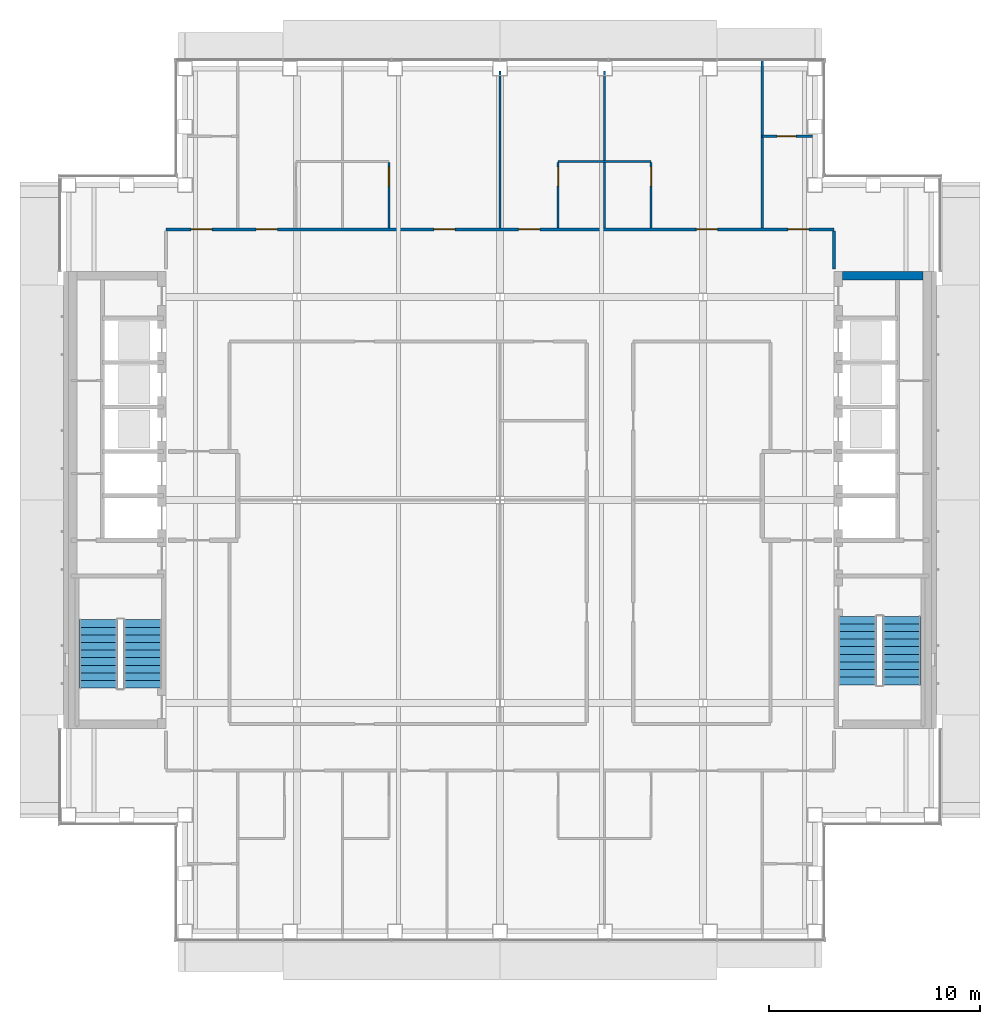
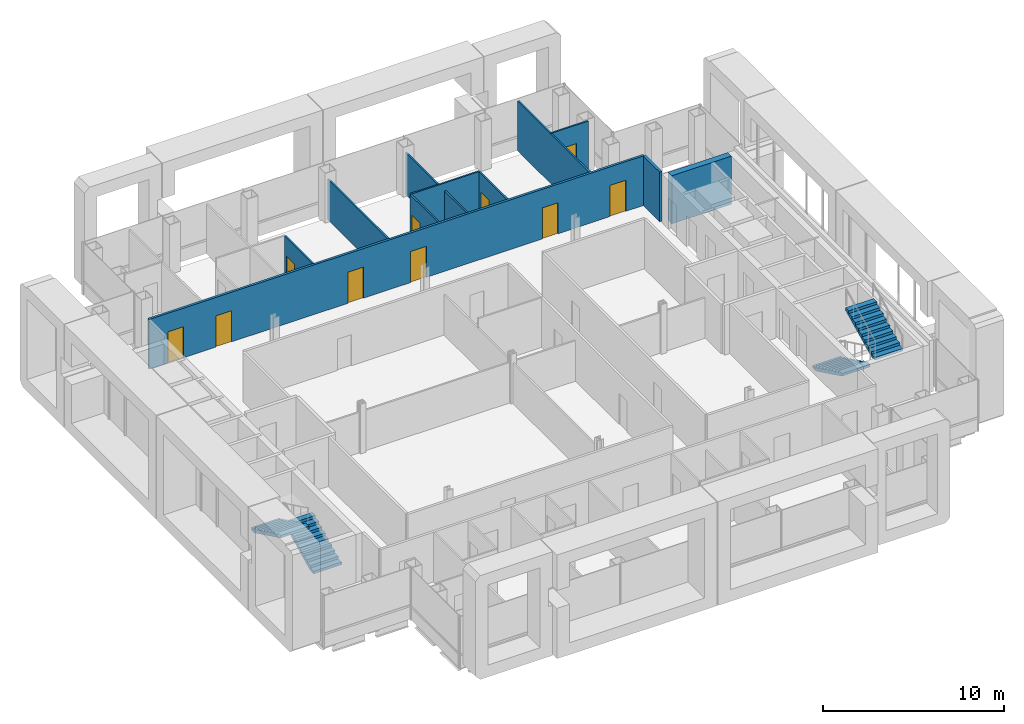
# One storey, part 12 of 19: 12 walls, 10 doors, 4 stair flights, 10 openings, 2 elements without a shape of their own.
"""IFC4 building model written with IfcOpenShell, lengths in metres."""

import ifcopenshell
import ifcopenshell.guid

model = None  # the IFC model being written
_history = None  # IfcOwnerHistory: only IFC2X3 demands one
_inside = {}  # id of a spatial element -> (the spatial element, [elements in it])
_under = {}  # id of a project, library or spatial element -> (it, [spatial elements below it])
_declared = {}  # id of a project -> (the project, [libraries it declares])
_typed = {}  # id of a type object -> (the type object, [elements of that type])
_made_of = {}  # id of a material, layer set ... -> (it, [elements and type objects made of it])


def new_model(schema):
    """Start an empty IFC model of exactly this schema.

    Asked for "IFC4X3", IfcOpenShell would pick the latest addendum, in which some entities
    have other attributes; the version numbers below select the first issue.
    IFC2X3 requires an IfcOwnerHistory on every rooted entity: one is made here for all.
    """
    global model, _history
    if schema == "IFC4X3":
        model = ifcopenshell.file(schema_version=(4, 3, 0, 0))
    else:
        model = ifcopenshell.file(schema=schema)
    _inside.clear()
    _under.clear()
    _declared.clear()
    _typed.clear()
    _made_of.clear()
    _history = None
    if model.schema == "IFC2X3":
        org = make("IfcOrganization", Name="unknown")
        user = make(
            "IfcPersonAndOrganization",
            ThePerson=make("IfcPerson", FamilyName="unknown"),
            TheOrganization=org,
        )
        app = make(
            "IfcApplication",
            ApplicationDeveloper=org,
            Version="unknown",
            ApplicationFullName="unknown",
            ApplicationIdentifier="unknown",
        )
        _history = make(
            "IfcOwnerHistory",
            OwningUser=user,
            OwningApplication=app,
            ChangeAction="ADDED",
            CreationDate=0,
        )
    return model


def make(cls, **values):
    """One entity of the class cls with the attributes given. An attribute that is None is left unset."""
    return model.create_entity(
        cls, **{name: value for name, value in values.items() if value is not None}
    )


def rooted(cls, **values):
    """An entity with a GlobalId (a new one), such as an element, a storey or a relation."""
    return make(cls, GlobalId=ifcopenshell.guid.new(), OwnerHistory=_history, **values)


def si_unit(unit_type, name, prefix=None):
    """IfcSIUnit, for example si_unit("LENGTHUNIT", "METRE", prefix="MILLI")."""
    return make("IfcSIUnit", UnitType=unit_type, Prefix=prefix, Name=name)


def assignment(units):
    """IfcUnitAssignment: the units of a project."""
    return None if units is None else make("IfcUnitAssignment", Units=units)


def point(xyz):
    """IfcCartesianPoint."""
    return None if xyz is None else make("IfcCartesianPoint", Coordinates=xyz)


def direction(xyz):
    """IfcDirection."""
    return None if xyz is None else make("IfcDirection", DirectionRatios=xyz)


def frame(location, z_axis=None, x_axis=None):
    """IfcAxis2Placement3D, a coordinate frame: its origin and axes. An axis left out is left unset."""
    return make(
        "IfcAxis2Placement3D",
        Location=point(location),
        Axis=direction(z_axis),
        RefDirection=direction(x_axis),
    )


def frame_2d(location, x_axis=None):
    """IfcAxis2Placement2D, a coordinate frame in the plane: its origin and x axis."""
    return make(
        "IfcAxis2Placement2D", Location=point(location), RefDirection=direction(x_axis)
    )


def origin():
    """The frame at (0, 0, 0) with its axes left unset."""
    return frame((0.0, 0.0, 0.0))


def place(relative_to, where):
    """IfcLocalPlacement: puts the frame where relative to a parent placement (None: the world)."""
    return make(
        "IfcLocalPlacement", PlacementRelTo=relative_to, RelativePlacement=where
    )


def context(
    kind, dimensions, precision=None, world=None, true_north=None, identifier=None
):
    """IfcGeometricRepresentationContext, for example the 3D "Model" context."""
    return make(
        "IfcGeometricRepresentationContext",
        ContextIdentifier=identifier,
        ContextType=kind,
        CoordinateSpaceDimension=dimensions,
        Precision=precision,
        WorldCoordinateSystem=world,
        TrueNorth=true_north,
    )


def subcontext(parent, identifier, kind, view, scale=None):
    """IfcGeometricRepresentationSubContext, for example "Body" below "Model"."""
    return make(
        "IfcGeometricRepresentationSubContext",
        ContextIdentifier=identifier,
        ContextType=kind,
        ParentContext=parent,
        TargetScale=scale,
        TargetView=view,
    )


def project(units=None, contexts=None):
    """IfcProject with its units and contexts."""
    return rooted(
        "IfcProject",
        Name="project",
        RepresentationContexts=contexts,
        UnitsInContext=assignment(units),
    )


def spatial(cls, under=None, at=None, **own):
    """A site, building, storey or space (cls), placed at a placement, below another one or the project."""
    s = rooted(cls, ObjectPlacement=at, **own)
    if under is not None:
        _under.setdefault(under.id(), (under, []))[1].append(s)
    return s


def polyline(points):
    """IfcPolyline through the points."""
    return make("IfcPolyline", Points=[point(p) for p in points])


def profile(cls, at=None, kind="AREA", **sizes):
    """A parametric profile (cls). Its sizes go by their IFC names, for example OverallWidth=200.0."""
    return make(cls, ProfileType=kind, Position=at, **sizes)


def rectangle(**sizes):
    """IfcRectangleProfileDef."""
    return profile("IfcRectangleProfileDef", **sizes)


def outline(outer, holes=None, kind="AREA"):
    """IfcArbitraryClosedProfileDef: a profile drawn as a closed curve; with holes, ...WithVoids."""
    if holes is None:
        return make("IfcArbitraryClosedProfileDef", ProfileType=kind, OuterCurve=outer)
    return make(
        "IfcArbitraryProfileDefWithVoids",
        ProfileType=kind,
        OuterCurve=outer,
        InnerCurves=holes,
    )


def extrude(swept, where, along, depth):
    """IfcExtrudedAreaSolid: the profile swept, set in the frame where, extruded along a direction by depth."""
    return make(
        "IfcExtrudedAreaSolid",
        SweptArea=swept,
        Position=where,
        ExtrudedDirection=direction(along),
        Depth=depth,
    )


def shape(context_of_items, identifier, shape_type, items):
    """IfcShapeRepresentation: the items that make up one representation, for example the "Body"."""
    return make(
        "IfcShapeRepresentation",
        ContextOfItems=context_of_items,
        RepresentationIdentifier=identifier,
        RepresentationType=shape_type,
        Items=items,
    )


def material(Name=None, Category=None):
    """IfcMaterial."""
    return make("IfcMaterial", Name=Name, Category=Category)


def layer(
    of_material, thickness, ventilated=None, Name=None, Category=None, Priority=None
):
    """IfcMaterialLayer: one layer of a wall or slab, of a material (None: an air gap)."""
    return make(
        "IfcMaterialLayer",
        Material=of_material,
        LayerThickness=thickness,
        IsVentilated=ventilated,
        Name=Name,
        Category=Category,
        Priority=Priority,
    )


def layer_set(layers, Name=None):
    """IfcMaterialLayerSet."""
    return make("IfcMaterialLayerSet", MaterialLayers=layers, LayerSetName=Name)


def made_of(thing, what):
    """Note that an element or type object is made of a material, layer set ...; save() writes the relation."""
    if what is not None:
        _made_of.setdefault(what.id(), (what, []))[1].append(thing)
    return thing


def type_object(cls, material=None, **own):
    """A type object (cls), such as IfcWallType, which elements share."""
    return made_of(rooted(cls, **own), material)


def element(
    cls,
    number,
    at=None,
    inside=None,
    cuts=None,
    type_object=None,
    material=None,
    context=None,
    identifier="Body",
    shape_type=None,
    held_by="IfcProductDefinitionShape",
    body=None,
    shapes=None,
    **own,
):
    """One element of the class cls, such as IfcWall. Its Tag is "e" and its number.

    at: its placement. inside: the storey or other place that contains it. cuts: it is an
    opening in that element (IfcRelVoidsElement). A single representation is given by context,
    identifier, shape_type and body (its items); several are given by shapes. held_by: the class
    of the entity that holds the representations. save() writes the other relations.
    """
    e = rooted(cls, Tag="e%d" % number, ObjectPlacement=at, **own)
    if body is not None:
        shapes = [shape(context, identifier, shape_type, body)]
    if shapes is not None:
        e.Representation = make(held_by, Representations=shapes)
    if inside is not None:
        _inside.setdefault(inside.id(), (inside, []))[1].append(e)
    if cuts is not None:
        rooted(
            "IfcRelVoidsElement", RelatingBuildingElement=cuts, RelatedOpeningElement=e
        )
    if type_object is not None:
        _typed.setdefault(type_object.id(), (type_object, []))[1].append(e)
    return made_of(e, material)


def fill(opening, filler):
    """IfcRelFillsElement: the door or window that sits in an opening."""
    return rooted(
        "IfcRelFillsElement",
        RelatingOpeningElement=opening,
        RelatedBuildingElement=filler,
    )


def aggregate(whole, parts):
    """IfcRelAggregates: a whole, such as a stair, and the parts it consists of."""
    return rooted("IfcRelAggregates", RelatingObject=whole, RelatedObjects=parts)


def save(model, path):
    """Write the relations noted so far, then the file.

    IfcRelAggregates (storeys below a building ...), IfcRelContainedInSpatialStructure (elements
    in a storey), IfcRelDefinesByType, IfcRelAssociatesMaterial and IfcRelDeclares: one each for
    every whole, place, type object, material and project.
    """
    for whole, parts in _under.values():
        aggregate(whole, parts)
    for where, things in _inside.values():
        rooted(
            "IfcRelContainedInSpatialStructure",
            RelatedElements=things,
            RelatingStructure=where,
        )
    for kind, things in _typed.values():
        rooted("IfcRelDefinesByType", RelatedObjects=things, RelatingType=kind)
    for what, things in _made_of.values():
        rooted("IfcRelAssociatesMaterial", RelatedObjects=things, RelatingMaterial=what)
    for by, libraries in _declared.values():
        rooted("IfcRelDeclares", RelatingContext=by, RelatedDefinitions=libraries)
    model.write(path)


model = new_model("IFC4")

# Units and contexts
model_context = context("Model", 3, precision=1e-05, world=origin(), true_north=direction((0.0, 1.0)))
body_context = subcontext(model_context, "Body", "Model", "MODEL_VIEW")
ifc_project = project(units=[si_unit("LENGTHUNIT", "METRE"), si_unit("AREAUNIT", "SQUARE_METRE"), si_unit("VOLUMEUNIT", "CUBIC_METRE"), si_unit("PLANEANGLEUNIT", "RADIAN"), si_unit("MASSUNIT", "GRAM", prefix="KILO")], contexts=[model_context])

# Site, building, storey
site_placement = place(None, origin())
site = spatial("IfcSite", under=ifc_project, at=site_placement, CompositionType="ELEMENT")
building_placement = place(site_placement, origin())
building = spatial("IfcBuilding", under=site, at=building_placement, Name="Cobrizo Arcos Hotel Tower", CompositionType="ELEMENT")
storey_placement = place(building_placement, frame((0.0, 0.0, 205.0)))
storey = spatial("IfcBuildingStorey", under=building, at=storey_placement, Name="L53", CompositionType="ELEMENT", Elevation=205.0)

# Wall, openings, doors
ifc_material_1 = material(Name="Gypsum board partition")
ifc_layer_1 = layer(ifc_material_1, 0.14990234375)
ifc_layer_set_1 = layer_set([ifc_layer_1], Name="Corridor wall EI 60 150")
wall_type_1 = type_object("IfcWallType", Name="Corridor wall EI 60 150", PredefinedType="PARTITIONING", material=ifc_layer_set_1)
wall_1_placement = place(storey_placement, frame((-15.800048828125, 12.800048828125, 0.0), z_axis=(0.0, 0.0, 1.0), x_axis=(1.0, 0.0, 0.0)))
wall_1 = element("IfcWall", 1, at=wall_1_placement, inside=storey, type_object=wall_type_1, Name="Partition 042", PredefinedType="PARTITIONING", context=body_context, shape_type="SweptSolid", body=[
    extrude(rectangle(XDim=31.60009765625, YDim=0.14990234375, at=frame_2d((15.800048828125, 0.0))), origin(), (0.0, 0.0, 1.0), 3.35009765625),
])
opening_1_placement = place(wall_1_placement, frame((4.26708984375, 0.0, 0.0)))
opening_1 = element("IfcOpeningElement", 2, at=opening_1_placement, cuts=wall_1, Name="Opening GD-01", PredefinedType="OPENING", context=body_context, shape_type="SweptSolid", body=[
    extrude(rectangle(XDim=1.0, YDim=2.10009765625, at=frame_2d((0.5, 1.050048828125))), frame((0.0, 0.0869140625, 0.0), z_axis=(0.0, -1.0, 0.0), x_axis=(1.0, 0.0, 0.0)), (0.0, 0.0, 1.0), 0.173828125),
])
opening_2_placement = place(wall_1_placement, frame((12.675048828125, 0.0, 0.0)))
opening_2 = element("IfcOpeningElement", 3, at=opening_2_placement, cuts=wall_1, Name="Opening GD-02", PredefinedType="OPENING", context=body_context, shape_type="SweptSolid", body=[
    extrude(rectangle(XDim=1.0, YDim=2.10009765625, at=frame_2d((0.5, 1.050048828125))), frame((0.0, 0.0869140625, 0.0), z_axis=(0.0, -1.0, 0.0), x_axis=(1.0, 0.0, 0.0)), (0.0, 0.0, 1.0), 0.173828125),
])
opening_3_placement = place(wall_1_placement, frame((16.68408203125, 0.0, 0.0)))
opening_3 = element("IfcOpeningElement", 4, at=opening_3_placement, cuts=wall_1, Name="Opening GD-03", PredefinedType="OPENING", context=body_context, shape_type="SweptSolid", body=[
    extrude(rectangle(XDim=1.0, YDim=2.10009765625, at=frame_2d((0.5, 1.050048828125))), frame((0.0, 0.0869140625, 0.0), z_axis=(0.0, -1.0, 0.0), x_axis=(1.0, 0.0, 0.0)), (0.0, 0.0, 1.0), 0.173828125),
])
opening_4_placement = place(wall_1_placement, frame((25.092041015625, 0.0, 0.0)))
opening_4 = element("IfcOpeningElement", 5, at=opening_4_placement, cuts=wall_1, Name="Opening GD-04", PredefinedType="OPENING", context=body_context, shape_type="SweptSolid", body=[
    extrude(rectangle(XDim=1.0, YDim=2.10009765625, at=frame_2d((0.5, 1.050048828125))), frame((0.0, 0.0869140625, 0.0), z_axis=(0.0, -1.0, 0.0), x_axis=(1.0, 0.0, 0.0)), (0.0, 0.0, 1.0), 0.173828125),
])
opening_5_placement = place(wall_1_placement, frame((1.19189453125, 0.0, 0.0)))
opening_5 = element("IfcOpeningElement", 6, at=opening_5_placement, cuts=wall_1, Name="Opening GD-10", PredefinedType="OPENING", context=body_context, shape_type="SweptSolid", body=[
    extrude(rectangle(XDim=1.0, YDim=2.10009765625, at=frame_2d((0.5, 1.050048828125))), frame((0.0, 0.0869140625, 0.0), z_axis=(0.0, -1.0, 0.0), x_axis=(1.0, 0.0, 0.0)), (0.0, 0.0, 1.0), 0.173828125),
])
opening_6_placement = place(wall_1_placement, frame((29.408935546875, 0.0, 0.0)))
opening_6 = element("IfcOpeningElement", 7, at=opening_6_placement, cuts=wall_1, Name="Opening GD-12", PredefinedType="OPENING", context=body_context, shape_type="SweptSolid", body=[
    extrude(rectangle(XDim=1.0, YDim=2.10009765625, at=frame_2d((0.5, 1.050048828125))), frame((0.0, 0.0869140625, 0.0), z_axis=(0.0, -1.0, 0.0), x_axis=(1.0, 0.0, 0.0)), (0.0, 0.0, 1.0), 0.173828125),
])
ifc_material_2 = material(Name="Timber door leaf", Category="wood")
door_type_1 = type_object("IfcDoorType", Name="Guest room door FD30S 1000x2100", OperationType="SINGLE_SWING_LEFT", PredefinedType="DOOR", material=ifc_material_2)
door_1_placement = place(opening_1_placement, origin())
door_1 = element("IfcDoor", 8, at=door_1_placement, inside=storey, type_object=door_type_1, Name="Door GD-01", OperationType="SINGLE_SWING_LEFT", OverallHeight=2.10009765625, OverallWidth=1.0, PredefinedType="DOOR", context=body_context, shape_type="SweptSolid", body=[
    extrude(rectangle(XDim=1.0, YDim=2.10009765625, at=frame_2d((0.5, 1.050048828125))), frame((0.0, 0.02490234375, 0.0), z_axis=(0.0, -1.0, 0.0), x_axis=(1.0, 0.0, 0.0)), (0.0, 0.0, 1.0), 0.050048828125),
])
fill(opening_1, door_1)
door_2_placement = place(opening_2_placement, origin())
door_2 = element("IfcDoor", 9, at=door_2_placement, inside=storey, type_object=door_type_1, Name="Door GD-02", OperationType="SINGLE_SWING_RIGHT", OverallHeight=2.10009765625, OverallWidth=1.0, PredefinedType="DOOR", context=body_context, shape_type="SweptSolid", body=[
    extrude(rectangle(XDim=1.0, YDim=2.10009765625, at=frame_2d((0.5, 1.050048828125))), frame((0.0, 0.02490234375, 0.0), z_axis=(0.0, -1.0, 0.0), x_axis=(1.0, 0.0, 0.0)), (0.0, 0.0, 1.0), 0.050048828125),
])
fill(opening_2, door_2)
door_3_placement = place(opening_3_placement, origin())
door_3 = element("IfcDoor", 10, at=door_3_placement, inside=storey, type_object=door_type_1, Name="Door GD-03", OperationType="SINGLE_SWING_LEFT", OverallHeight=2.10009765625, OverallWidth=1.0, PredefinedType="DOOR", context=body_context, shape_type="SweptSolid", body=[
    extrude(rectangle(XDim=1.0, YDim=2.10009765625, at=frame_2d((0.5, 1.050048828125))), frame((0.0, 0.02490234375, 0.0), z_axis=(0.0, -1.0, 0.0), x_axis=(1.0, 0.0, 0.0)), (0.0, 0.0, 1.0), 0.050048828125),
])
fill(opening_3, door_3)
door_4_placement = place(opening_4_placement, origin())
door_4 = element("IfcDoor", 11, at=door_4_placement, inside=storey, type_object=door_type_1, Name="Door GD-04", OperationType="SINGLE_SWING_LEFT", OverallHeight=2.10009765625, OverallWidth=1.0, PredefinedType="DOOR", context=body_context, shape_type="SweptSolid", body=[
    extrude(rectangle(XDim=1.0, YDim=2.10009765625, at=frame_2d((0.5, 1.050048828125))), frame((0.0, 0.02490234375, 0.0), z_axis=(0.0, -1.0, 0.0), x_axis=(1.0, 0.0, 0.0)), (0.0, 0.0, 1.0), 0.050048828125),
])
fill(opening_4, door_4)
door_5_placement = place(opening_5_placement, origin())
door_5 = element("IfcDoor", 12, at=door_5_placement, inside=storey, type_object=door_type_1, Name="Door GD-10", OperationType="SINGLE_SWING_LEFT", OverallHeight=2.10009765625, OverallWidth=1.0, PredefinedType="DOOR", context=body_context, shape_type="SweptSolid", body=[
    extrude(rectangle(XDim=1.0, YDim=2.10009765625, at=frame_2d((0.5, 1.050048828125))), frame((0.0, 0.02490234375, 0.0), z_axis=(0.0, -1.0, 0.0), x_axis=(1.0, 0.0, 0.0)), (0.0, 0.0, 1.0), 0.050048828125),
])
fill(opening_5, door_5)
door_6_placement = place(opening_6_placement, origin())
door_6 = element("IfcDoor", 13, at=door_6_placement, inside=storey, type_object=door_type_1, Name="Door GD-12", OperationType="SINGLE_SWING_RIGHT", OverallHeight=2.10009765625, OverallWidth=1.0, PredefinedType="DOOR", context=body_context, shape_type="SweptSolid", body=[
    extrude(rectangle(XDim=1.0, YDim=2.10009765625, at=frame_2d((0.5, 1.050048828125))), frame((0.0, 0.02490234375, 0.0), z_axis=(0.0, -1.0, 0.0), x_axis=(1.0, 0.0, 0.0)), (0.0, 0.0, 1.0), 0.050048828125),
])
fill(opening_6, door_6)

# Walls
wall_2_placement = place(storey_placement, frame((15.800048828125, 10.919921875, 0.0), z_axis=(0.0, 0.0, 1.0), x_axis=(0.0, 1.0, 0.0)))
element("IfcWall", 14, at=wall_2_placement, inside=storey, type_object=wall_type_1, Name="Partition 085", PredefinedType="PARTITIONING", context=body_context, shape_type="SweptSolid", body=[
    extrude(rectangle(XDim=1.80517578125, YDim=0.14990234375, at=frame_2d((0.902587890625, 0.0))), origin(), (0.0, 0.0, 1.0), 3.35009765625),
])
ifc_layer_2 = layer(ifc_material_1, 0.10009765625)
ifc_layer_set_2 = layer_set([ifc_layer_2], Name="Partition EI 30 100")
wall_type_2 = type_object("IfcWallType", Name="Partition EI 30 100", PredefinedType="PARTITIONING", material=ifc_layer_set_2)
wall_3_placement = place(storey_placement, frame((2.75, 16.0, 0.0), z_axis=(0.0, 0.0, 1.0), x_axis=(1.0, 0.0, 0.0)))
element("IfcWall", 15, at=wall_3_placement, inside=storey, type_object=wall_type_2, Name="Partition 044", PredefinedType="PARTITIONING", context=body_context, shape_type="SweptSolid", body=[
    extrude(rectangle(XDim=4.39990234375, YDim=0.10009765625, at=frame_2d((2.199951171875, 0.0))), origin(), (0.0, 0.0, 1.0), 3.35009765625),
])

# Wall, opening, door
wall_4_placement = place(storey_placement, frame((12.39990234375, 17.199951171875, 0.0), z_axis=(0.0, 0.0, 1.0), x_axis=(1.0, 0.0, 0.0)))
wall_4 = element("IfcWall", 16, at=wall_4_placement, inside=storey, type_object=wall_type_2, Name="Partition 046", PredefinedType="PARTITIONING", context=body_context, shape_type="SweptSolid", body=[
    extrude(rectangle(XDim=2.380126953125, YDim=0.10009765625, at=frame_2d((1.18994140625, 0.0))), origin(), (0.0, 0.0, 1.0), 3.35009765625),
])
opening_7_placement = place(wall_4_placement, frame((0.705078125, 0.0, 0.0)))
opening_7 = element("IfcOpeningElement", 17, at=opening_7_placement, cuts=wall_4, Name="Opening ED-12", PredefinedType="OPENING", context=body_context, shape_type="SweptSolid", body=[
    extrude(rectangle(XDim=0.89990234375, YDim=2.10009765625, at=frame_2d((0.449951171875, 1.050048828125))), frame((0.0, 0.06201171875, 0.0), z_axis=(0.0, -1.0, 0.0), x_axis=(1.0, 0.0, 0.0)), (0.0, 0.0, 1.0), 0.1240234375),
])
door_type_2 = type_object("IfcDoorType", Name="En-suite door 900x2100", OperationType="SINGLE_SWING_LEFT", PredefinedType="DOOR", material=ifc_material_2)
door_7_placement = place(opening_7_placement, origin())
door_7 = element("IfcDoor", 18, at=door_7_placement, inside=storey, type_object=door_type_2, Name="Door ED-12", OperationType="SINGLE_SWING_LEFT", OverallHeight=2.10009765625, OverallWidth=0.89990234375, PredefinedType="DOOR", context=body_context, shape_type="SweptSolid", body=[
    extrude(rectangle(XDim=0.89990234375, YDim=2.10009765625, at=frame_2d((0.449951171875, 1.050048828125))), frame((0.0, 0.02490234375, 0.0), z_axis=(0.0, -1.0, 0.0), x_axis=(1.0, 0.0, 0.0)), (0.0, 0.0, 1.0), 0.050048828125),
])
fill(opening_7, door_7)

wall_5_placement = place(storey_placement, frame((-5.25, 12.875, 0.0), z_axis=(0.0, 0.0, 1.0), x_axis=(0.0, 1.0, 0.0)))
wall_5 = element("IfcWall", 19, at=wall_5_placement, inside=storey, type_object=wall_type_2, Name="Partition 062", PredefinedType="PARTITIONING", context=body_context, shape_type="SweptSolid", body=[
    extrude(rectangle(XDim=3.074951171875, YDim=0.10009765625, at=frame_2d((1.53759765625, 0.0))), origin(), (0.0, 0.0, 1.0), 3.35009765625),
])
opening_8_placement = place(wall_5_placement, frame((1.970947265625, 0.0, 0.0)))
opening_8 = element("IfcOpeningElement", 20, at=opening_8_placement, cuts=wall_5, Name="Opening ED-02", PredefinedType="OPENING", context=body_context, shape_type="SweptSolid", body=[
    extrude(rectangle(XDim=0.89990234375, YDim=2.10009765625, at=frame_2d((0.449951171875, 1.050048828125))), frame((0.0, 0.06201171875, 0.0), z_axis=(0.0, -1.0, 0.0), x_axis=(1.0, 0.0, 0.0)), (0.0, 0.0, 1.0), 0.1240234375),
])
door_8_placement = place(opening_8_placement, origin())
door_8 = element("IfcDoor", 21, at=door_8_placement, inside=storey, type_object=door_type_2, Name="Door ED-02", OperationType="SINGLE_SWING_RIGHT", OverallHeight=2.10009765625, OverallWidth=0.89990234375, PredefinedType="DOOR", context=body_context, shape_type="SweptSolid", body=[
    extrude(rectangle(XDim=0.89990234375, YDim=2.10009765625, at=frame_2d((0.449951171875, 1.050048828125))), frame((0.0, 0.02490234375, 0.0), z_axis=(0.0, -1.0, 0.0), x_axis=(1.0, 0.0, 0.0)), (0.0, 0.0, 1.0), 0.050048828125),
])
fill(opening_8, door_8)

# Wall
wall_6_placement = place(storey_placement, frame((0.0, 12.875, 0.0), z_axis=(0.0, 0.0, 1.0), x_axis=(0.0, 1.0, 0.0)))
element("IfcWall", 22, at=wall_6_placement, inside=storey, type_object=wall_type_2, Name="Partition 068", PredefinedType="PARTITIONING", context=body_context, shape_type="SweptSolid", body=[
    extrude(rectangle(XDim=7.405029296875, YDim=0.10009765625, at=frame_2d((3.70263671875, 0.0))), origin(), (0.0, 0.0, 1.0), 2.72802734375),
])

# Wall, opening, door
wall_7_placement = place(storey_placement, frame((2.75, 12.875, 0.0), z_axis=(0.0, 0.0, 1.0), x_axis=(0.0, 1.0, 0.0)))
wall_7 = element("IfcWall", 23, at=wall_7_placement, inside=storey, type_object=wall_type_2, Name="Partition 070", PredefinedType="PARTITIONING", context=body_context, shape_type="SweptSolid", body=[
    extrude(rectangle(XDim=3.074951171875, YDim=0.10009765625, at=frame_2d((1.53759765625, 0.0))), origin(), (0.0, 0.0, 1.0), 3.35009765625),
])
opening_9_placement = place(wall_7_placement, frame((1.970947265625, 0.0, 0.0)))
opening_9 = element("IfcOpeningElement", 24, at=opening_9_placement, cuts=wall_7, Name="Opening ED-03", PredefinedType="OPENING", context=body_context, shape_type="SweptSolid", body=[
    extrude(rectangle(XDim=0.89990234375, YDim=2.10009765625, at=frame_2d((0.449951171875, 1.050048828125))), frame((0.0, 0.06201171875, 0.0), z_axis=(0.0, -1.0, 0.0), x_axis=(1.0, 0.0, 0.0)), (0.0, 0.0, 1.0), 0.1240234375),
])
door_9_placement = place(opening_9_placement, origin())
door_9 = element("IfcDoor", 25, at=door_9_placement, inside=storey, type_object=door_type_2, Name="Door ED-03", OperationType="SINGLE_SWING_LEFT", OverallHeight=2.10009765625, OverallWidth=0.89990234375, PredefinedType="DOOR", context=body_context, shape_type="SweptSolid", body=[
    extrude(rectangle(XDim=0.89990234375, YDim=2.10009765625, at=frame_2d((0.449951171875, 1.050048828125))), frame((0.0, 0.02490234375, 0.0), z_axis=(0.0, -1.0, 0.0), x_axis=(1.0, 0.0, 0.0)), (0.0, 0.0, 1.0), 0.050048828125),
])
fill(opening_9, door_9)

# Walls
wall_8_placement = place(storey_placement, frame((4.949951171875, 12.875, 0.0), z_axis=(0.0, 0.0, 1.0), x_axis=(0.0, 1.0, 0.0)))
element("IfcWall", 26, at=wall_8_placement, inside=storey, type_object=wall_type_2, Name="Partition 074", PredefinedType="PARTITIONING", context=body_context, shape_type="SweptSolid", body=[
    extrude(rectangle(XDim=3.074951171875, YDim=0.10009765625, at=frame_2d((1.53759765625, 0.0))), origin(), (0.0, 0.0, 1.0), 2.81689453125),
])
wall_9_placement = place(storey_placement, frame((4.949951171875, 16.050048828125, 0.0), z_axis=(0.0, 0.0, 1.0), x_axis=(0.0, 1.0, 0.0)))
element("IfcWall", 27, at=wall_9_placement, inside=storey, type_object=wall_type_2, Name="Partition 075", PredefinedType="PARTITIONING", context=body_context, shape_type="SweptSolid", body=[
    extrude(rectangle(XDim=4.22998046875, YDim=0.10009765625, at=frame_2d((2.114990234375, 0.0))), origin(), (0.0, 0.0, 1.0), 2.81689453125),
])

# Wall, opening, door
wall_10_placement = place(storey_placement, frame((7.14990234375, 12.875, 0.0), z_axis=(0.0, 0.0, 1.0), x_axis=(0.0, 1.0, 0.0)))
wall_10 = element("IfcWall", 28, at=wall_10_placement, inside=storey, type_object=wall_type_2, Name="Partition 078", PredefinedType="PARTITIONING", context=body_context, shape_type="SweptSolid", body=[
    extrude(rectangle(XDim=3.074951171875, YDim=0.10009765625, at=frame_2d((1.53759765625, 0.0))), origin(), (0.0, 0.0, 1.0), 3.35009765625),
])
opening_10_placement = place(wall_10_placement, frame((1.970947265625, 0.0, 0.0)))
opening_10 = element("IfcOpeningElement", 29, at=opening_10_placement, cuts=wall_10, Name="Opening ED-04", PredefinedType="OPENING", context=body_context, shape_type="SweptSolid", body=[
    extrude(rectangle(XDim=0.89990234375, YDim=2.10009765625, at=frame_2d((0.449951171875, 1.050048828125))), frame((0.0, 0.06201171875, 0.0), z_axis=(0.0, -1.0, 0.0), x_axis=(1.0, 0.0, 0.0)), (0.0, 0.0, 1.0), 0.1240234375),
])
door_10_placement = place(opening_10_placement, origin())
door_10 = element("IfcDoor", 30, at=door_10_placement, inside=storey, type_object=door_type_2, Name="Door ED-04", OperationType="SINGLE_SWING_LEFT", OverallHeight=2.10009765625, OverallWidth=0.89990234375, PredefinedType="DOOR", context=body_context, shape_type="SweptSolid", body=[
    extrude(rectangle(XDim=0.89990234375, YDim=2.10009765625, at=frame_2d((0.449951171875, 1.050048828125))), frame((0.0, 0.02490234375, 0.0), z_axis=(0.0, -1.0, 0.0), x_axis=(1.0, 0.0, 0.0)), (0.0, 0.0, 1.0), 0.050048828125),
])
fill(opening_10, door_10)

# Walls
wall_11_placement = place(storey_placement, frame((12.39990234375, 12.875, 0.0), z_axis=(0.0, 0.0, 1.0), x_axis=(0.0, 1.0, 0.0)))
element("IfcWall", 31, at=wall_11_placement, inside=storey, type_object=wall_type_2, Name="Partition 081", PredefinedType="PARTITIONING", context=body_context, shape_type="SweptSolid", body=[
    extrude(rectangle(XDim=7.905029296875, YDim=0.10009765625, at=frame_2d((3.95263671875, 0.0))), origin(), (0.0, 0.0, 1.0), 3.35009765625),
])
ifc_material_3 = material(Name="Concrete f'c 40 MPa", Category="concrete")
ifc_layer_3 = layer(ifc_material_3, 0.39990234375)
ifc_layer_set_3 = layer_set([ifc_layer_3], Name="RC core wall 400 f'c 40")
wall_type_3 = type_object("IfcWallType", Name="RC core wall 400 f'c 40", PredefinedType="SHEAR", material=ifc_layer_set_3)
wall_12_placement = place(storey_placement, frame((16.199951171875, 10.60009765625, 0.0), z_axis=(0.0, 0.0, 1.0), x_axis=(1.0, 0.0, 0.0)))
element("IfcWall", 32, at=wall_12_placement, inside=storey, type_object=wall_type_3, Name="Core wall CW4, east core, north end, L53", PredefinedType="SHEAR", context=body_context, shape_type="SweptSolid", body=[
    extrude(rectangle(XDim=3.800048828125, YDim=0.39990234375, at=frame_2d((1.89990234375, 0.0))), origin(), (0.0, 0.0, 1.0), 3.25),
])

# Stair, stair flights
stair_type = type_object("IfcStairType", Name="Exit stair", PredefinedType="HALF_TURN_STAIR", material=ifc_material_3)
stair_1_placement = place(storey_placement, origin())
stair_1 = element("IfcStair", 33, at=stair_1_placement, inside=storey, type_object=stair_type, Name="L53 Exit stair ST-W", PredefinedType="HALF_TURN_STAIR")
stair_flight_type = type_object("IfcStairFlightType", Name="Exit stair flight", PredefinedType="STRAIGHT", material=ifc_material_3)
stair_flight_1_placement = place(storey_placement, frame((-16.89990234375, -8.89990234375, 0.0), z_axis=(0.0, 0.0, 1.0), x_axis=(0.0, 1.0, 0.0)))
stair_flight_1 = element("IfcStairFlight", 34, at=stair_flight_1_placement, type_object=stair_flight_type, Name="ST-W flight 1", NumberOfRisers=10, NumberOfTreads=9, PredefinedType="STRAIGHT", RiserHeight=0.175, TreadLength=0.36, context=body_context, shape_type="SweptSolid", body=[
    extrude(outline(polyline([(0.0, 0.0), (0.0, 0.175048828125), (0.360107421875, 0.175048828125), (0.360107421875, 0.35009765625), (0.719970703125, 0.35009765625), (0.719970703125, 0.52490234375), (1.080078125, 0.52490234375), (1.080078125, 0.699951171875), (1.43994140625, 0.699951171875), (1.43994140625, 0.875), (1.800048828125, 0.875), (1.800048828125, 1.050048828125), (2.159912109375, 1.050048828125), (2.159912109375, 1.22509765625), (2.52001953125, 1.22509765625), (2.52001953125, 1.39990234375), (2.8798828125, 1.39990234375), (2.8798828125, 1.574951171875), (3.239990234375, 1.574951171875), (3.239990234375, 1.75), (3.239990234375, 1.408203125), (0.3427734375, 0.0), (0.0, 0.0)])), frame((0.0, 0.89990234375, 0.0), z_axis=(0.0, -1.0, 0.0), x_axis=(1.0, 0.0, 0.0)), (0.0, 0.0, 1.0), 1.800048828125),
])
stair_flight_2_placement = place(storey_placement, frame((-19.0, -5.659912109375, 1.75), z_axis=(0.0, 0.0, 1.0), x_axis=(0.0, -1.0, 0.0)))
stair_flight_2 = element("IfcStairFlight", 35, at=stair_flight_2_placement, type_object=stair_flight_type, Name="ST-W flight 2", NumberOfRisers=10, NumberOfTreads=9, PredefinedType="STRAIGHT", RiserHeight=0.175, TreadLength=0.36, context=body_context, shape_type="SweptSolid", body=[
    extrude(outline(polyline([(0.0, 0.0), (0.0, 0.175048828125), (0.360107421875, 0.175048828125), (0.360107421875, 0.35009765625), (0.719970703125, 0.35009765625), (0.719970703125, 0.52490234375), (1.080078125, 0.52490234375), (1.080078125, 0.699951171875), (1.43994140625, 0.699951171875), (1.43994140625, 0.875), (1.800048828125, 0.875), (1.800048828125, 1.050048828125), (2.159912109375, 1.050048828125), (2.159912109375, 1.22509765625), (2.52001953125, 1.22509765625), (2.52001953125, 1.39990234375), (2.8798828125, 1.39990234375), (2.8798828125, 1.574951171875), (3.239990234375, 1.574951171875), (3.239990234375, 1.75), (3.239990234375, 1.408203125), (0.3427734375, 0.0), (0.0, 0.0)])), frame((0.0, 0.89990234375, 0.0), z_axis=(0.0, -1.0, 0.0), x_axis=(1.0, 0.0, 0.0)), (0.0, 0.0, 1.0), 1.800048828125),
])
aggregate(stair_1, [stair_flight_1, stair_flight_2])

stair_2_placement = place(storey_placement, origin())
stair_2 = element("IfcStair", 36, at=stair_2_placement, inside=storey, type_object=stair_type, Name="L53 Exit stair ST-E", PredefinedType="HALF_TURN_STAIR")
stair_flight_3_placement = place(storey_placement, frame((16.89990234375, -5.5, 0.0), z_axis=(0.0, 0.0, 1.0), x_axis=(0.0, -1.0, 0.0)))
stair_flight_3 = element("IfcStairFlight", 37, at=stair_flight_3_placement, type_object=stair_flight_type, Name="ST-E flight 1", NumberOfRisers=10, NumberOfTreads=9, PredefinedType="STRAIGHT", RiserHeight=0.175, TreadLength=0.36, context=body_context, shape_type="SweptSolid", body=[
    extrude(outline(polyline([(0.0, 0.0), (0.0, 0.175048828125), (0.360107421875, 0.175048828125), (0.360107421875, 0.35009765625), (0.719970703125, 0.35009765625), (0.719970703125, 0.52490234375), (1.080078125, 0.52490234375), (1.080078125, 0.699951171875), (1.43994140625, 0.699951171875), (1.43994140625, 0.875), (1.800048828125, 0.875), (1.800048828125, 1.050048828125), (2.159912109375, 1.050048828125), (2.159912109375, 1.22509765625), (2.52001953125, 1.22509765625), (2.52001953125, 1.39990234375), (2.8798828125, 1.39990234375), (2.8798828125, 1.574951171875), (3.239990234375, 1.574951171875), (3.239990234375, 1.75), (3.239990234375, 1.408203125), (0.3427734375, 0.0), (0.0, 0.0)])), frame((0.0, 0.89990234375, 0.0), z_axis=(0.0, -1.0, 0.0), x_axis=(1.0, 0.0, 0.0)), (0.0, 0.0, 1.0), 1.800048828125),
])
stair_flight_4_placement = place(storey_placement, frame((19.0, -8.739990234375, 1.75), z_axis=(0.0, 0.0, 1.0), x_axis=(0.0, 1.0, 0.0)))
stair_flight_4 = element("IfcStairFlight", 38, at=stair_flight_4_placement, type_object=stair_flight_type, Name="ST-E flight 2", NumberOfRisers=10, NumberOfTreads=9, PredefinedType="STRAIGHT", RiserHeight=0.175, TreadLength=0.36, context=body_context, shape_type="SweptSolid", body=[
    extrude(outline(polyline([(0.0, 0.0), (0.0, 0.175048828125), (0.360107421875, 0.175048828125), (0.360107421875, 0.35009765625), (0.719970703125, 0.35009765625), (0.719970703125, 0.52490234375), (1.080078125, 0.52490234375), (1.080078125, 0.699951171875), (1.43994140625, 0.699951171875), (1.43994140625, 0.875), (1.800048828125, 0.875), (1.800048828125, 1.050048828125), (2.159912109375, 1.050048828125), (2.159912109375, 1.22509765625), (2.52001953125, 1.22509765625), (2.52001953125, 1.39990234375), (2.8798828125, 1.39990234375), (2.8798828125, 1.574951171875), (3.239990234375, 1.574951171875), (3.239990234375, 1.75), (3.239990234375, 1.408203125), (0.3427734375, 0.0), (0.0, 0.0)])), frame((0.0, 0.89990234375, 0.0), z_axis=(0.0, -1.0, 0.0), x_axis=(1.0, 0.0, 0.0)), (0.0, 0.0, 1.0), 1.800048828125),
])
aggregate(stair_2, [stair_flight_3, stair_flight_4])

save(model, "model.ifc")
